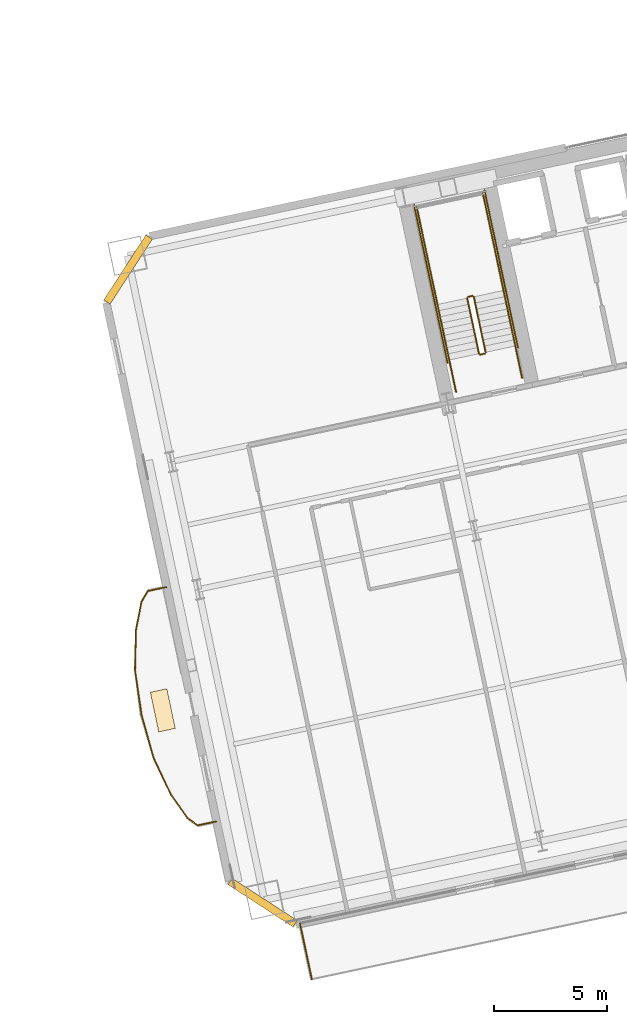
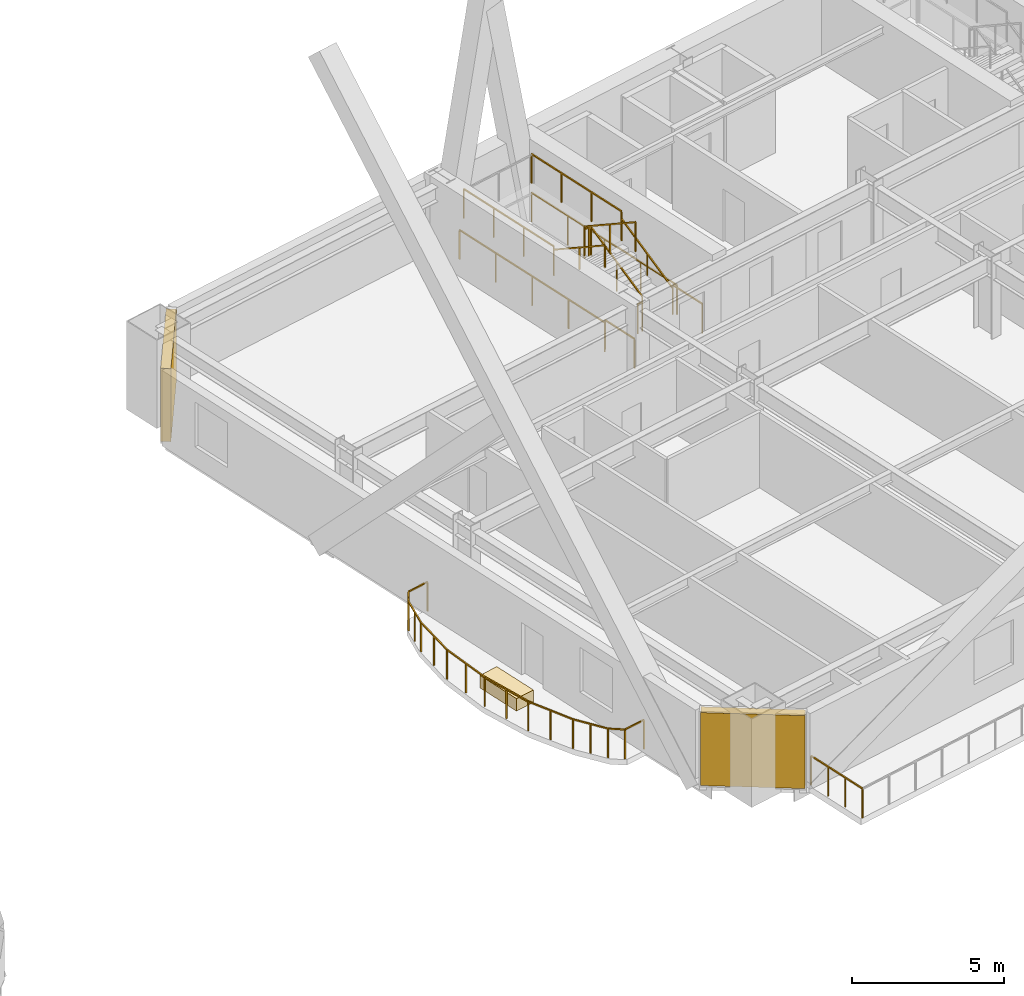
# One storey, part 21 of 25: 23 railings, 2 shading devices, 1 covering.
"""IFC4 building model written with IfcOpenShell, lengths in metres."""

from ifc_helpers import new_model, si_unit, direction, frame, origin, origin_2d, place, context, subcontext, project, spatial, rectangle, extrude, material, layer, layer_set, type_object, element, save


model = new_model("IFC4")

# Units and contexts
model_context = context("Model", 3, precision=1e-05, world=origin(), true_north=direction((0.0, 1.0)))
body_context = subcontext(model_context, "Body", "Model", "MODEL_VIEW")
ifc_project = project(units=[si_unit("LENGTHUNIT", "METRE"), si_unit("AREAUNIT", "SQUARE_METRE"), si_unit("VOLUMEUNIT", "CUBIC_METRE"), si_unit("PLANEANGLEUNIT", "RADIAN"), si_unit("MASSUNIT", "GRAM", prefix="KILO")], contexts=[model_context])

# Site, building, storey
site_placement = place(None, origin())
site = spatial("IfcSite", under=ifc_project, at=site_placement, CompositionType="ELEMENT")
building_placement = place(site_placement, origin())
building = spatial("IfcBuilding", under=site, at=building_placement, Name="Haevon Station Towers", CompositionType="ELEMENT")
storey_placement = place(building_placement, frame((0.0, 0.0, 50.39990234375)))
storey = spatial("IfcBuildingStorey", under=building, at=storey_placement, Name="L12", CompositionType="ELEMENT", Elevation=50.39990234375)

# Railings
ifc_material_1 = material(Name="Steel S355", Category="steel")
railing_type_1 = type_object("IfcRailingType", Name="GRD-EXT1200", PredefinedType="GUARDRAIL", material=ifc_material_1)
railing_1_placement = place(storey_placement, frame((92.197509765625, 14.314453125, 0.0)))
element("IfcRailing", 1, at=railing_1_placement, inside=storey, type_object=railing_type_1, Name="L12 Perimeter Guardrail 3", PredefinedType="GUARDRAIL", context=body_context, shape_type="SweptSolid", body=[
    extrude(rectangle(XDim=0.048095703125, YDim=0.048095703125, at=origin_2d()), frame((0.0, 0.0, 1.17578125), z_axis=(0.207878332244, -0.978154690723, 0.0), x_axis=(0.978154690723, 0.207878332244, 0.0)), (0.0, 0.0, 1.0), 2.53564453125),
    extrude(rectangle(XDim=0.0419921875, YDim=0.0419921875, at=origin_2d()), origin(), (0.0, 0.0, 1.0), 1.15185546875),
    extrude(rectangle(XDim=0.0419921875, YDim=0.0419921875, at=origin_2d()), frame((0.17578125, -0.82666015625, 0.0)), (0.0, 0.0, 1.0), 1.15185546875),
    extrude(rectangle(XDim=0.0419921875, YDim=0.0419921875, at=origin_2d()), frame((0.351318359375, -1.653564453125, 0.0)), (0.0, 0.0, 1.0), 1.15185546875),
    extrude(rectangle(XDim=0.0419921875, YDim=0.0419921875, at=origin_2d()), frame((0.527099609375, -2.480224609375, 0.0)), (0.0, 0.0, 1.0), 1.15185546875),
])
railing_2_placement = place(storey_placement, frame((86.256103515625, 29.2626953125, 0.0)))
element("IfcRailing", 2, at=railing_2_placement, inside=storey, type_object=railing_type_1, Name="L12 Perimeter Guardrail 1", PredefinedType="GUARDRAIL", context=body_context, shape_type="SweptSolid", body=[
    extrude(rectangle(XDim=0.048095703125, YDim=0.048095703125, at=origin_2d()), frame((0.0, 0.0, 1.17578125), z_axis=(-0.977678572445, -0.210106185017, 0.0), x_axis=(0.210106185017, -0.977678572445, 0.0)), (0.0, 0.0, 1.0), 0.837890625),
    extrude(rectangle(XDim=0.0419921875, YDim=0.0419921875, at=origin_2d()), origin(), (0.0, 0.0, 1.0), 1.15185546875),
    extrude(rectangle(XDim=0.0419921875, YDim=0.0419921875, at=origin_2d()), frame((-0.819091796875, -0.176025390625, 0.0)), (0.0, 0.0, 1.0), 1.15185546875),
])
railing_3_placement = place(storey_placement, frame((85.43701171875, 29.086669921875, 0.0)))
element("IfcRailing", 3, at=railing_3_placement, inside=storey, type_object=railing_type_1, Name="L12 Perimeter Guardrail 2", PredefinedType="GUARDRAIL", context=body_context, shape_type="SweptSolid", body=[
    extrude(rectangle(XDim=0.048095703125, YDim=0.048095703125, at=origin_2d()), frame((0.0, 0.0, 1.17578125), z_axis=(-0.508242948438, -0.861213739651, 0.0), x_axis=(0.861213739651, -0.508242948438, 0.0)), (0.0, 0.0, 1.0), 0.55810546875),
    extrude(rectangle(XDim=0.0419921875, YDim=0.0419921875, at=origin_2d()), origin(), (0.0, 0.0, 1.0), 1.15185546875),
    extrude(rectangle(XDim=0.0419921875, YDim=0.0419921875, at=origin_2d()), frame((-0.28369140625, -0.480712890625, 0.0)), (0.0, 0.0, 1.0), 1.15185546875),
])
railing_4_placement = place(storey_placement, frame((85.1533203125, 28.60595703125, 0.0)))
element("IfcRailing", 4, at=railing_4_placement, inside=storey, type_object=railing_type_1, Name="L12 Perimeter Guardrail 3", PredefinedType="GUARDRAIL", context=body_context, shape_type="SweptSolid", body=[
    extrude(rectangle(XDim=0.048095703125, YDim=0.048095703125, at=origin_2d()), frame((0.0, 0.0, 1.17578125), z_axis=(-0.193200510437, -0.981159295307, 0.0), x_axis=(0.981159295307, -0.193200510437, 0.0)), (0.0, 0.0, 1.0), 1.2724609375),
    extrude(rectangle(XDim=0.0419921875, YDim=0.0419921875, at=origin_2d()), origin(), (0.0, 0.0, 1.0), 1.15185546875),
    extrude(rectangle(XDim=0.0419921875, YDim=0.0419921875, at=origin_2d()), frame((-0.123046875, -0.624267578125, 0.0)), (0.0, 0.0, 1.0), 1.15185546875),
    extrude(rectangle(XDim=0.0419921875, YDim=0.0419921875, at=origin_2d()), frame((-0.245849609375, -1.24853515625, 0.0)), (0.0, 0.0, 1.0), 1.15185546875),
])
railing_5_placement = place(storey_placement, frame((84.907470703125, 27.357421875, 0.0)))
element("IfcRailing", 5, at=railing_5_placement, inside=storey, type_object=railing_type_1, Name="L12 Perimeter Guardrail 4", PredefinedType="GUARDRAIL", context=body_context, shape_type="SweptSolid", body=[
    extrude(rectangle(XDim=0.048095703125, YDim=0.048095703125, at=origin_2d()), frame((0.0, 0.0, 1.17578125), z_axis=(-0.02312935788, -0.999732480619, 0.0), x_axis=(0.999732480619, -0.02312935788, 0.0)), (0.0, 0.0, 1.0), 1.79443359375),
    extrude(rectangle(XDim=0.0419921875, YDim=0.0419921875, at=origin_2d()), origin(), (0.0, 0.0, 1.0), 1.15185546875),
    extrude(rectangle(XDim=0.0419921875, YDim=0.0419921875, at=origin_2d()), frame((-0.020751953125, -0.89697265625, 0.0)), (0.0, 0.0, 1.0), 1.15185546875),
    extrude(rectangle(XDim=0.0419921875, YDim=0.0419921875, at=origin_2d()), frame((-0.04150390625, -1.7939453125, 0.0)), (0.0, 0.0, 1.0), 1.15185546875),
])
railing_6_placement = place(storey_placement, frame((84.865966796875, 25.5634765625, 0.0)))
element("IfcRailing", 6, at=railing_6_placement, inside=storey, type_object=railing_type_1, Name="L12 Perimeter Guardrail 5", PredefinedType="GUARDRAIL", context=body_context, shape_type="SweptSolid", body=[
    extrude(rectangle(XDim=0.048095703125, YDim=0.048095703125, at=origin_2d()), frame((0.0, 0.0, 1.17578125), z_axis=(0.14575095832, -0.989321311884, 0.0), x_axis=(0.989321311884, 0.14575095832, 0.0)), (0.0, 0.0, 1.0), 1.99658203125),
    extrude(rectangle(XDim=0.0419921875, YDim=0.0419921875, at=origin_2d()), origin(), (0.0, 0.0, 1.0), 1.15185546875),
    extrude(rectangle(XDim=0.0419921875, YDim=0.0419921875, at=origin_2d()), frame((0.1455078125, -0.98779296875, 0.0)), (0.0, 0.0, 1.0), 1.15185546875),
    extrude(rectangle(XDim=0.0419921875, YDim=0.0419921875, at=origin_2d()), frame((0.291015625, -1.975341796875, 0.0)), (0.0, 0.0, 1.0), 1.15185546875),
])
railing_7_placement = place(storey_placement, frame((85.156982421875, 23.588134765625, 0.0)))
element("IfcRailing", 7, at=railing_7_placement, inside=storey, type_object=railing_type_1, Name="L12 Perimeter Guardrail 6", PredefinedType="GUARDRAIL", context=body_context, shape_type="SweptSolid", body=[
    extrude(rectangle(XDim=0.048095703125, YDim=0.048095703125, at=origin_2d()), frame((0.0, 0.0, 1.17578125), z_axis=(0.269226284082, -0.963076948099, 0.0), x_axis=(0.963076948099, 0.269226284082, 0.0)), (0.0, 0.0, 1.0), 1.996826171875),
    extrude(rectangle(XDim=0.0419921875, YDim=0.0419921875, at=origin_2d()), origin(), (0.0, 0.0, 1.0), 1.15185546875),
    extrude(rectangle(XDim=0.0419921875, YDim=0.0419921875, at=origin_2d()), frame((0.268798828125, -0.96142578125, 0.0)), (0.0, 0.0, 1.0), 1.15185546875),
    extrude(rectangle(XDim=0.0419921875, YDim=0.0419921875, at=origin_2d()), frame((0.53759765625, -1.923095703125, 0.0)), (0.0, 0.0, 1.0), 1.15185546875),
])
railing_8_placement = place(storey_placement, frame((85.694580078125, 21.6650390625, 0.0)))
element("IfcRailing", 8, at=railing_8_placement, inside=storey, type_object=railing_type_1, Name="L12 Perimeter Guardrail 7", PredefinedType="GUARDRAIL", context=body_context, shape_type="SweptSolid", body=[
    extrude(rectangle(XDim=0.048095703125, YDim=0.048095703125, at=origin_2d()), frame((0.0, 0.0, 1.17578125), z_axis=(0.427735419024, -0.903903983459, 0.0), x_axis=(0.903903983459, 0.427735419024, 0.0)), (0.0, 0.0, 1.0), 1.79443359375),
    extrude(rectangle(XDim=0.0419921875, YDim=0.0419921875, at=origin_2d()), origin(), (0.0, 0.0, 1.0), 1.15185546875),
    extrude(rectangle(XDim=0.0419921875, YDim=0.0419921875, at=origin_2d()), frame((0.3837890625, -0.81103515625, 0.0)), (0.0, 0.0, 1.0), 1.15185546875),
    extrude(rectangle(XDim=0.0419921875, YDim=0.0419921875, at=origin_2d()), frame((0.767578125, -1.6220703125, 0.0)), (0.0, 0.0, 1.0), 1.15185546875),
])
railing_9_placement = place(storey_placement, frame((86.462158203125, 20.04296875, 0.0)))
element("IfcRailing", 9, at=railing_9_placement, inside=storey, type_object=railing_type_1, Name="L12 Perimeter Guardrail 8", PredefinedType="GUARDRAIL", context=body_context, shape_type="SweptSolid", body=[
    extrude(rectangle(XDim=0.048095703125, YDim=0.048095703125, at=origin_2d()), frame((0.0, 0.0, 1.17578125), z_axis=(0.575597959633, -0.817732834651, 0.0), x_axis=(0.817732834651, 0.575597959633, 0.0)), (0.0, 0.0, 1.0), 1.2724609375),
    extrude(rectangle(XDim=0.0419921875, YDim=0.0419921875, at=origin_2d()), origin(), (0.0, 0.0, 1.0), 1.15185546875),
    extrude(rectangle(XDim=0.0419921875, YDim=0.0419921875, at=origin_2d()), frame((0.3662109375, -0.520263671875, 0.0)), (0.0, 0.0, 1.0), 1.15185546875),
    extrude(rectangle(XDim=0.0419921875, YDim=0.0419921875, at=origin_2d()), frame((0.732421875, -1.04052734375, 0.0)), (0.0, 0.0, 1.0), 1.15185546875),
])
railing_10_placement = place(storey_placement, frame((87.194580078125, 19.00244140625, 0.0)))
element("IfcRailing", 10, at=railing_10_placement, inside=storey, type_object=railing_type_1, Name="L12 Perimeter Guardrail 9", PredefinedType="GUARDRAIL", context=body_context, shape_type="SweptSolid", body=[
    extrude(rectangle(XDim=0.048095703125, YDim=0.048095703125, at=origin_2d()), frame((0.0, 0.0, 1.17578125), z_axis=(0.814560283211, -0.580078912748, 0.0), x_axis=(0.580078912748, 0.814560283211, 0.0)), (0.0, 0.0, 1.0), 0.55810546875),
    extrude(rectangle(XDim=0.0419921875, YDim=0.0419921875, at=origin_2d()), origin(), (0.0, 0.0, 1.0), 1.15185546875),
    extrude(rectangle(XDim=0.0419921875, YDim=0.0419921875, at=origin_2d()), frame((0.45458984375, -0.32373046875, 0.0)), (0.0, 0.0, 1.0), 1.15185546875),
])
railing_11_placement = place(storey_placement, frame((87.649169921875, 18.6787109375, 0.0)))
element("IfcRailing", 11, at=railing_11_placement, inside=storey, type_object=railing_type_1, Name="L12 Perimeter Guardrail 10", PredefinedType="GUARDRAIL", context=body_context, shape_type="SweptSolid", body=[
    extrude(rectangle(XDim=0.048095703125, YDim=0.048095703125, at=origin_2d()), frame((0.0, 0.0, 1.17578125), z_axis=(0.978676345007, 0.205408402271, 0.0), x_axis=(-0.205408402271, 0.978676345007, 0.0)), (0.0, 0.0, 1.0), 0.837890625),
    extrude(rectangle(XDim=0.0419921875, YDim=0.0419921875, at=origin_2d()), origin(), (0.0, 0.0, 1.0), 1.15185546875),
    extrude(rectangle(XDim=0.0419921875, YDim=0.0419921875, at=origin_2d()), frame((0.820068359375, 0.172119140625, 0.0)), (0.0, 0.0, 1.0), 1.15185546875),
])
railing_type_2 = type_object("IfcRailingType", Name="GRD-STR1200", PredefinedType="GUARDRAIL", material=ifc_material_1)
railing_12_placement = place(storey_placement, frame((100.44140625, 39.69287109375, 0.1650390625)))
element("IfcRailing", 12, at=railing_12_placement, inside=storey, type_object=railing_type_2, Name="L12 ST3 Stair Guard 1", PredefinedType="GUARDRAIL", context=body_context, shape_type="SweptSolid", body=[
    extrude(rectangle(XDim=0.048095703125, YDim=0.048095703125, at=origin_2d()), frame((0.0, 0.0, 1.17578125), z_axis=(-0.179121265225, 0.842687928106, 0.507732831485), x_axis=(-0.978147030254, -0.207914374695, 0.0)), (0.0, 0.0, 1.0), 2.925048828125),
    extrude(rectangle(XDim=0.0419921875, YDim=0.0419921875, at=origin_2d()), origin(), (0.0, 0.0, 1.0), 1.15185546875),
    extrude(rectangle(XDim=0.0419921875, YDim=0.0419921875, at=origin_2d()), frame((-0.261962890625, 1.232421875, 0.74267578125)), (0.0, 0.0, 1.0), 1.15185546875),
    extrude(rectangle(XDim=0.0419921875, YDim=0.0419921875, at=origin_2d()), frame((-0.52392578125, 2.46484375, 1.485107421875)), (0.0, 0.0, 1.0), 1.15185546875),
])
railing_13_placement = place(storey_placement, frame((99.858154296875, 42.1962890625, 1.650146484375)))
element("IfcRailing", 13, at=railing_13_placement, inside=storey, type_object=railing_type_2, Name="L12 ST3 Stair Guard 2", PredefinedType="GUARDRAIL", context=body_context, shape_type="SweptSolid", body=[
    extrude(rectangle(XDim=0.048095703125, YDim=0.048095703125, at=origin_2d()), frame((0.0, 0.0, 1.17578125), z_axis=(-0.977962931203, -0.208778603291, 0.0), x_axis=(0.208778603291, -0.977962931203, 0.0)), (0.0, 0.0, 1.0), 0.199951171875),
    extrude(rectangle(XDim=0.0419921875, YDim=0.0419921875, at=origin_2d()), origin(), (0.0, 0.0, 1.0), 1.15185546875),
    extrude(rectangle(XDim=0.0419921875, YDim=0.0419921875, at=origin_2d()), frame((-0.195556640625, -0.041748046875, 0.0)), (0.0, 0.0, 1.0), 1.15185546875),
])
railing_14_placement = place(storey_placement, frame((101.238037109375, 42.4384765625, 1.650146484375)))
element("IfcRailing", 14, at=railing_14_placement, inside=storey, type_object=railing_type_2, Name="L12 ST3 Stair Guard 3", PredefinedType="GUARDRAIL", context=body_context, shape_type="SweptSolid", body=[
    extrude(rectangle(XDim=0.048095703125, YDim=0.048095703125, at=origin_2d()), frame((0.0, 0.0, 1.17578125), z_axis=(-0.20794048909, 0.978141479029, 0.0), x_axis=(-0.978141479029, -0.20794048909, 0.0)), (0.0, 0.0, 1.0), 4.429931640625),
    extrude(rectangle(XDim=0.0419921875, YDim=0.0419921875, at=origin_2d()), origin(), (0.0, 0.0, 1.0), 1.15185546875),
    extrude(rectangle(XDim=0.0419921875, YDim=0.0419921875, at=origin_2d()), frame((-0.30712890625, 1.4443359375, 0.0)), (0.0, 0.0, 1.0), 1.15185546875),
    extrude(rectangle(XDim=0.0419921875, YDim=0.0419921875, at=origin_2d()), frame((-0.614013671875, 2.888671875, 0.0)), (0.0, 0.0, 1.0), 1.15185546875),
    extrude(rectangle(XDim=0.0419921875, YDim=0.0419921875, at=origin_2d()), frame((-0.921142578125, 4.3330078125, 0.0)), (0.0, 0.0, 1.0), 1.15185546875),
])
railing_15_placement = place(storey_placement, frame((98.303466796875, 41.814697265625, 1.650146484375)))
element("IfcRailing", 15, at=railing_15_placement, inside=storey, type_object=railing_type_2, Name="L12 ST3 Stair Guard 4", PredefinedType="GUARDRAIL", context=body_context, shape_type="SweptSolid", body=[
    extrude(rectangle(XDim=0.048095703125, YDim=0.048095703125, at=origin_2d()), frame((0.0, 0.0, 1.17578125), z_axis=(-0.207876551949, 0.978155069071, 0.0), x_axis=(-0.978155069071, -0.207876551949, 0.0)), (0.0, 0.0, 1.0), 4.429931640625),
    extrude(rectangle(XDim=0.0419921875, YDim=0.0419921875, at=origin_2d()), origin(), (0.0, 0.0, 1.0), 1.15185546875),
    extrude(rectangle(XDim=0.0419921875, YDim=0.0419921875, at=origin_2d()), frame((-0.306884765625, 1.4443359375, 0.0)), (0.0, 0.0, 1.0), 1.15185546875),
    extrude(rectangle(XDim=0.0419921875, YDim=0.0419921875, at=origin_2d()), frame((-0.614013671875, 2.888916015625, 0.0)), (0.0, 0.0, 1.0), 1.15185546875),
    extrude(rectangle(XDim=0.0419921875, YDim=0.0419921875, at=origin_2d()), frame((-0.9208984375, 4.333251953125, 0.0)), (0.0, 0.0, 1.0), 1.15185546875),
])
railing_16_placement = place(storey_placement, frame((99.6240234375, 42.09521484375, 1.815185546875)))
element("IfcRailing", 16, at=railing_16_placement, inside=storey, type_object=railing_type_2, Name="L12 ST3 Stair Guard 6", PredefinedType="GUARDRAIL", context=body_context, shape_type="SweptSolid", body=[
    extrude(rectangle(XDim=0.048095703125, YDim=0.048095703125, at=origin_2d()), frame((0.0, 0.0, 1.17578125), z_axis=(0.179128856099, -0.842723639875, 0.507670877349), x_axis=(0.978147030254, 0.207914374695, 0.0)), (0.0, 0.0, 1.0), 2.9248046875),
    extrude(rectangle(XDim=0.0419921875, YDim=0.0419921875, at=origin_2d()), origin(), (0.0, 0.0, 1.0), 1.15185546875),
    extrude(rectangle(XDim=0.0419921875, YDim=0.0419921875, at=origin_2d()), frame((0.261962890625, -1.232421875, 0.742431640625)), (0.0, 0.0, 1.0), 1.15185546875),
    extrude(rectangle(XDim=0.0419921875, YDim=0.0419921875, at=origin_2d()), frame((0.52392578125, -2.46484375, 1.48486328125)), (0.0, 0.0, 1.0), 1.15185546875),
])
railing_17_placement = place(storey_placement, frame((100.40283203125, 39.633544921875, 0.0)))
element("IfcRailing", 17, at=railing_17_placement, inside=storey, type_object=railing_type_2, Name="L12 ST3 Stair Guard 7", PredefinedType="GUARDRAIL", context=body_context, shape_type="SweptSolid", body=[
    extrude(rectangle(XDim=0.048095703125, YDim=0.048095703125, at=origin_2d()), frame((0.0, 0.0, 1.17578125), z_axis=(-0.977962931203, -0.208778603291, 0.0), x_axis=(0.208778603291, -0.977962931203, 0.0)), (0.0, 0.0, 1.0), 0.199951171875),
    extrude(rectangle(XDim=0.0419921875, YDim=0.0419921875, at=origin_2d()), origin(), (0.0, 0.0, 1.0), 1.15185546875),
    extrude(rectangle(XDim=0.0419921875, YDim=0.0419921875, at=origin_2d()), frame((-0.195556640625, -0.041748046875, 0.0)), (0.0, 0.0, 1.0), 1.15185546875),
])
for number, where, name in (
    (18, (102.0634765625, 38.55517578125, 0.0), "L12 ST3 Stair Guard 8"),
    (19, (99.12890625, 37.931396484375, 0.0), "L12 ST3 Stair Guard 9"),
):
    element("IfcRailing", number, at=place(storey_placement, frame(where)), inside=storey, type_object=railing_type_2, Name=name, PredefinedType="GUARDRAIL", context=body_context, shape_type="SweptSolid", body=[
        extrude(rectangle(XDim=0.048095703125, YDim=0.048095703125, at=origin_2d()), frame((0.0, 0.0, 1.17578125), z_axis=(-0.207953405961, 0.978138732977, 0.0), x_axis=(-0.978138732977, -0.207953405961, 0.0)), (0.0, 0.0, 1.0), 1.449951171875),
        extrude(rectangle(XDim=0.0419921875, YDim=0.0419921875, at=origin_2d()), origin(), (0.0, 0.0, 1.0), 1.15185546875),
        extrude(rectangle(XDim=0.0419921875, YDim=0.0419921875, at=origin_2d()), frame((-0.301513671875, 1.418212890625, 0.0)), (0.0, 0.0, 1.0), 1.15185546875),
    ])
railing_18_placement = place(storey_placement, frame((101.88037109375, 39.896484375, 0.0)))
element("IfcRailing", 20, at=railing_18_placement, inside=storey, type_object=railing_type_2, Name="L12 ST3 Stair Guard 10", PredefinedType="GUARDRAIL", context=body_context, shape_type="SweptSolid", body=[
    extrude(rectangle(XDim=0.048095703125, YDim=0.048095703125, at=origin_2d()), frame((0.0, 0.0, 1.17578125), z_axis=(-0.207882442208, 0.978153817261, 0.0), x_axis=(-0.978153817261, -0.207882442208, 0.0)), (0.0, 0.0, 1.0), 7.14990234375),
    extrude(rectangle(XDim=0.0419921875, YDim=0.0419921875, at=origin_2d()), origin(), (0.0, 0.0, 1.0), 1.15185546875),
    extrude(rectangle(XDim=0.0419921875, YDim=0.0419921875, at=origin_2d()), frame((-0.37158203125, 1.74853515625, 0.0)), (0.0, 0.0, 1.0), 1.15185546875),
    extrude(rectangle(XDim=0.0419921875, YDim=0.0419921875, at=origin_2d()), frame((-0.7431640625, 3.496826171875, 0.0)), (0.0, 0.0, 1.0), 1.15185546875),
    extrude(rectangle(XDim=0.0419921875, YDim=0.0419921875, at=origin_2d()), frame((-1.11474609375, 5.2451171875, 0.0)), (0.0, 0.0, 1.0), 1.15185546875),
    extrude(rectangle(XDim=0.0419921875, YDim=0.0419921875, at=origin_2d()), frame((-1.486328125, 6.99365234375, 0.0)), (0.0, 0.0, 1.0), 1.15185546875),
])
railing_19_placement = place(storey_placement, frame((98.75048828125, 39.231201171875, 0.0)))
element("IfcRailing", 21, at=railing_19_placement, inside=storey, type_object=railing_type_2, Name="L12 ST3 Stair Guard 11", PredefinedType="GUARDRAIL", context=body_context, shape_type="SweptSolid", body=[
    extrude(rectangle(XDim=0.048095703125, YDim=0.048095703125, at=origin_2d()), frame((0.0, 0.0, 1.17578125), z_axis=(-0.207915112487, 0.978146873429, 0.0), x_axis=(-0.978146873429, -0.207915112487, 0.0)), (0.0, 0.0, 1.0), 7.14990234375),
    extrude(rectangle(XDim=0.0419921875, YDim=0.0419921875, at=origin_2d()), origin(), (0.0, 0.0, 1.0), 1.15185546875),
    extrude(rectangle(XDim=0.0419921875, YDim=0.0419921875, at=origin_2d()), frame((-0.37158203125, 1.74853515625, 0.0)), (0.0, 0.0, 1.0), 1.15185546875),
    extrude(rectangle(XDim=0.0419921875, YDim=0.0419921875, at=origin_2d()), frame((-0.7431640625, 3.496826171875, 0.0)), (0.0, 0.0, 1.0), 1.15185546875),
    extrude(rectangle(XDim=0.0419921875, YDim=0.0419921875, at=origin_2d()), frame((-1.114990234375, 5.2451171875, 0.0)), (0.0, 0.0, 1.0), 1.15185546875),
    extrude(rectangle(XDim=0.0419921875, YDim=0.0419921875, at=origin_2d()), frame((-1.486572265625, 6.99365234375, 0.0)), (0.0, 0.0, 1.0), 1.15185546875),
])
railing_type_3 = type_object("IfcRailingType", Name="HND-STR900", PredefinedType="HANDRAIL", material=ifc_material_1)
railing_20_placement = place(storey_placement, frame((101.761962890625, 39.973388671875, 0.1650390625)))
element("IfcRailing", 22, at=railing_20_placement, inside=storey, type_object=railing_type_3, Name="L12 ST3 Stair Handrail 1", PredefinedType="HANDRAIL", context=body_context, shape_type="SweptSolid", body=[
    extrude(rectangle(XDim=0.048095703125, YDim=0.048095703125, at=origin_2d()), frame((0.0, 0.0, 0.8759765625), z_axis=(-0.179108667068, 0.842712120868, 0.50769712105), x_axis=(-0.978151217824, -0.207894673017, 0.0)), (0.0, 0.0, 1.0), 2.92529296875),
    extrude(rectangle(XDim=0.0419921875, YDim=0.0419921875, at=origin_2d()), origin(), (0.0, 0.0, 1.0), 0.851806640625),
    extrude(rectangle(XDim=0.0419921875, YDim=0.0419921875, at=origin_2d()), frame((-0.261962890625, 1.232421875, 0.74267578125)), (0.0, 0.0, 1.0), 0.851806640625),
    extrude(rectangle(XDim=0.0419921875, YDim=0.0419921875, at=origin_2d()), frame((-0.52392578125, 2.465087890625, 1.485107421875)), (0.0, 0.0, 1.0), 0.851806640625),
])
railing_21_placement = place(storey_placement, frame((98.303466796875, 41.814697265625, 1.815185546875)))
element("IfcRailing", 23, at=railing_21_placement, inside=storey, type_object=railing_type_3, Name="L12 ST3 Stair Handrail 2", PredefinedType="HANDRAIL", context=body_context, shape_type="SweptSolid", body=[
    extrude(rectangle(XDim=0.048095703125, YDim=0.048095703125, at=origin_2d()), frame((0.0, 0.0, 0.8759765625), z_axis=(0.179116256339, -0.842747828638, 0.507635168246), x_axis=(0.978151217824, 0.207894673017, 0.0)), (0.0, 0.0, 1.0), 2.925048828125),
    extrude(rectangle(XDim=0.0419921875, YDim=0.0419921875, at=origin_2d()), origin(), (0.0, 0.0, 1.0), 0.851806640625),
    extrude(rectangle(XDim=0.0419921875, YDim=0.0419921875, at=origin_2d()), frame((0.261962890625, -1.232421875, 0.742431640625)), (0.0, 0.0, 1.0), 0.851806640625),
    extrude(rectangle(XDim=0.0419921875, YDim=0.0419921875, at=origin_2d()), frame((0.52392578125, -2.465087890625, 1.48486328125)), (0.0, 0.0, 1.0), 0.851806640625),
])

# Covering
ifc_material_2 = material(Name="Architectural planter GRC", Category="concrete")
ifc_layer_1 = layer(ifc_material_2, 0.550048828125)
ifc_layer_set_1 = layer_set([ifc_layer_1], Name="Architectural planter GRC")
covering_type = type_object("IfcCoveringType", Name="PLN-GRC550", PredefinedType="MOLDING", material=ifc_layer_set_1)
covering_placement = place(storey_placement, frame((86.103759765625, 23.789306640625, 0.0), z_axis=(0.0, 0.0, 1.0), x_axis=(0.978147600734, 0.207911690818, 0.0)))
element("IfcCovering", 24, at=covering_placement, inside=storey, type_object=covering_type, Name="Tower 2 L12 Scalloped Balcony PLANTER", PredefinedType="MOLDING", context=body_context, shape_type="SweptSolid", body=[
    extrude(rectangle(XDim=0.75, YDim=1.800048828125, at=origin_2d()), origin(), (0.0, 0.0, 1.0), 0.5),
])

# Shading devices
ifc_material_3 = material(Name="Anodised aluminium 6063-T6", Category="aluminium")
ifc_layer_2 = layer(ifc_material_3, 0.139892578125)
ifc_layer_set_2 = layer_set([ifc_layer_2], Name="Anodised aluminium 6063-T6")
shading_device_type = type_object("IfcShadingDeviceType", Name="SHD-WIND-BAFFLE", PredefinedType="SHUTTER", material=ifc_layer_set_2)
for number, where, z_axis, x_axis, name in (
    (25, (90.537109375, 15.249267578125, 0.05029296875), (0.0, 0.0, 1.0), (-0.838670603544, 0.544638980197, 0.0), "Tower 2 L12 Wind-Corner Aerofoil Baffle SWC"),
    (26, (84.5595703125, 43.37109375, 0.05029296875), (0.0, 0.0, 1.0), (0.544638781258, 0.838670732737, 0.0), "Tower 2 L12 Wind-Corner Aerofoil Baffle NWC"),
):
    element("IfcShadingDevice", number, at=place(storey_placement, frame(where, z_axis=z_axis, x_axis=x_axis)), inside=storey, type_object=shading_device_type, Name=name, PredefinedType="SHUTTER", context=body_context, shape_type="SweptSolid", body=[
        extrude(rectangle(XDim=3.435546875, YDim=0.340087890625, at=origin_2d()), origin(), (0.0, 0.0, 1.0), 2.929931640625),
    ])

save(model, "model.ifc")
